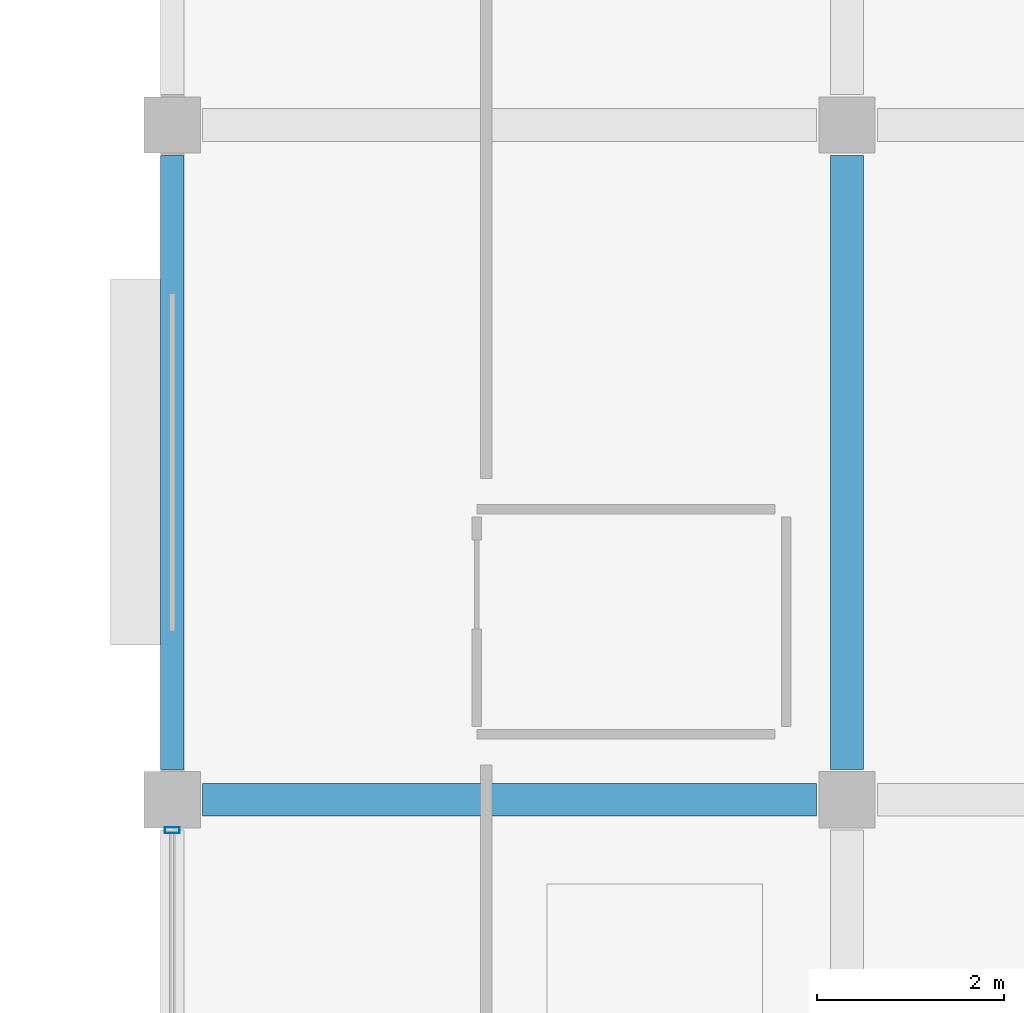
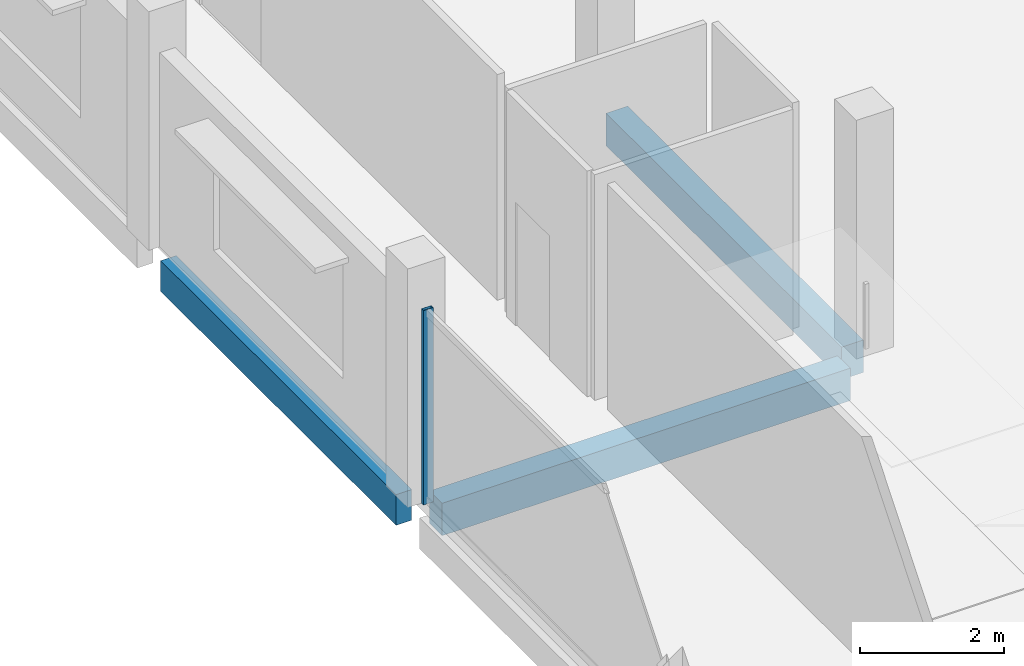
# One storey, part 20 of 59: 3 beams, 1 member, 1 element without a shape of its own.
"""IFC4 building model written with IfcOpenShell, lengths in metres."""

from ifc_helpers import new_model, si_unit, direction, frame, origin, origin_2d, place, context, subcontext, project, spatial, rectangle, hollow_rectangle, extrude, material, layer, layer_set, material_profile, profile_set, type_object, element, aggregate, save


model = new_model("IFC4")

# Units and contexts
model_context = context("Model", 3, precision=1e-05, world=origin(), true_north=direction((0.0, 1.0)))
body_context = subcontext(model_context, "Body", "Model", "MODEL_VIEW")
ifc_project = project(units=[si_unit("LENGTHUNIT", "METRE"), si_unit("AREAUNIT", "SQUARE_METRE"), si_unit("VOLUMEUNIT", "CUBIC_METRE"), si_unit("PLANEANGLEUNIT", "RADIAN"), si_unit("MASSUNIT", "GRAM", prefix="KILO")], contexts=[model_context])

# Site, building, storey
site_placement = place(None, origin())
site = spatial("IfcSite", under=ifc_project, at=site_placement, CompositionType="ELEMENT")
building_placement = place(site_placement, origin())
building = spatial("IfcBuilding", under=site, at=building_placement, Name="Kangsadwip Square Police Headquarters", CompositionType="ELEMENT")
storey_placement = place(building_placement, frame((0.0, 0.0, 21.60009765625)))
storey = spatial("IfcBuildingStorey", under=building, at=storey_placement, Name="L05", CompositionType="ELEMENT", Elevation=21.60009765625)

# Curtain wall, member
ifc_material_1 = material(Name="Thermally broken anodised aluminium AW-6063-T6", Category="aluminium")
ifc_layer = layer(ifc_material_1, 0.159912109375)
ifc_layer_set = layer_set([ifc_layer], Name="Thermally broken anodised aluminium AW-6063-T6")
curtain_wall_type = type_object("IfcCurtainWallType", Name="CourtScreen6610x3300", PredefinedType="USERDEFINED", material=ifc_layer_set)
curtain_wall_placement = place(storey_placement, origin())
curtain_wall = element("IfcCurtainWall", 1, at=curtain_wall_placement, inside=storey, type_object=curtain_wall_type, Name="Curtain Wall CW-L05-1440-0651", ObjectType="GLAZED_SCREEN", PredefinedType="USERDEFINED")
ifc_material_2 = material(Name="Thermally broken anodised aluminium AW-6063-T6", Category="aluminium")
ifc_material_profile_1 = material_profile(ifc_material_2, hollow_rectangle(XDim=0.06005859375, YDim=0.159912109375, WallThickness=0.00390625, at=origin_2d()), Name="CWM 160X60X4")
ifc_profile_set_1 = profile_set([ifc_material_profile_1], Name="Thermally broken anodised aluminium AW-6063-T6")
member_type = type_object("IfcMemberType", Name="CwMullion135x60", PredefinedType="MULLION", material=ifc_profile_set_1)
member_placement = place(storey_placement, frame((144.0, 71.675048828125, 0.0), z_axis=(0.0, 0.0, 1.0), x_axis=(0.0, 1.0, 0.0)))
member = element("IfcMember", 2, at=member_placement, type_object=member_type, Name="CW-52 mullion 2", PredefinedType="MULLION", context=body_context, shape_type="SweptSolid", body=[
    extrude(hollow_rectangle(XDim=0.06005859375, YDim=0.159912109375, WallThickness=0.00390625, at=origin_2d()), origin(), (0.0, 0.0, 1.0), 3.2998046875),
])
aggregate(curtain_wall, [member])

# Beams
ifc_material_3 = material(Name="Concrete M35 (35 MPa)", Category="concrete")
ifc_material_profile_2 = material_profile(ifc_material_3, rectangle(XDim=0.35009765625, YDim=0.550048828125, at=origin_2d()), Name="RC BM 550X350")
ifc_profile_set_2 = profile_set([ifc_material_profile_2], Name="Concrete M35 (35 MPa)")
beam_type_1 = type_object("IfcBeamType", Name="RcBeam550x350", PredefinedType="BEAM", material=ifc_profile_set_2)
for number, where, z_axis, x_axis, name in (
    (3, (144.324951171875, 72.0, -0.4951171875), (1.0, 0.0, 0.0), (0.0, 1.0, 0.0), "Beam BM-L05-X-20-10"),
    (4, (151.199951171875, 72.324951171875, -0.4951171875), (0.0, 1.0, 0.0), (-1.0, 0.0, 0.0), "Beam BM-L05-Y-21-10"),
):
    element("IfcBeam", number, at=place(storey_placement, frame(where, z_axis=z_axis, x_axis=x_axis)), inside=storey, type_object=beam_type_1, Name=name, PredefinedType="BEAM", context=body_context, shape_type="SweptSolid", body=[
        extrude(rectangle(XDim=0.35009765625, YDim=0.550048828125, at=origin_2d()), origin(), (0.0, 0.0, 1.0), 6.550048828125),
    ])
ifc_material_4 = material(Name="Concrete M35 (35 MPa)", Category="concrete")
ifc_material_profile_3 = material_profile(ifc_material_4, rectangle(XDim=0.25, YDim=0.52001953125, at=origin_2d()), Name="RC SPN 520X250")
ifc_profile_set_3 = profile_set([ifc_material_profile_3], Name="Concrete M35 (35 MPa)")
beam_type_2 = type_object("IfcBeamType", Name="RcSpandrel520x250", PredefinedType="SPANDREL", material=ifc_profile_set_3)
beam_placement = place(storey_placement, frame((144.0, 72.324951171875, -0.47998046875), z_axis=(0.0, 1.0, 0.0), x_axis=(-1.0, 0.0, 0.0)))
element("IfcBeam", 5, at=beam_placement, inside=storey, type_object=beam_type_2, Name="Beam BM-L05-Y-20-10", PredefinedType="SPANDREL", context=body_context, shape_type="SweptSolid", body=[
    extrude(rectangle(XDim=0.25, YDim=0.52001953125, at=origin_2d()), origin(), (0.0, 0.0, 1.0), 6.550048828125),
])

save(model, "model.ifc")
